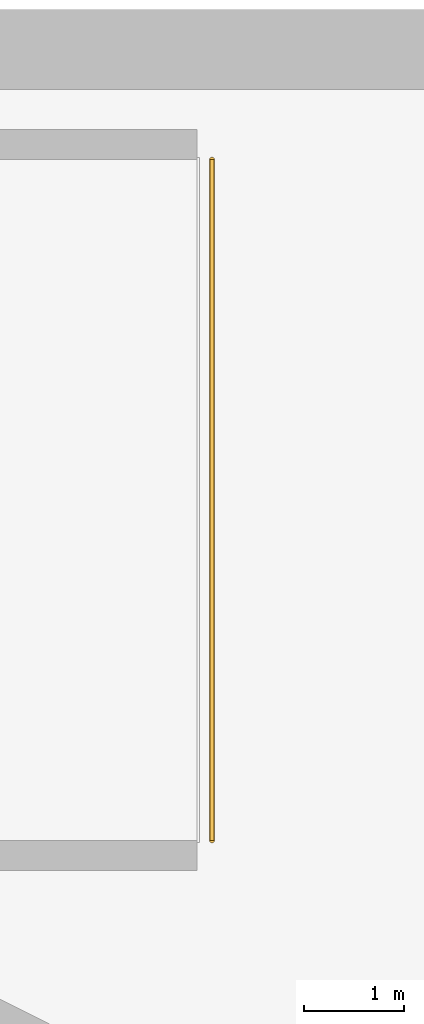
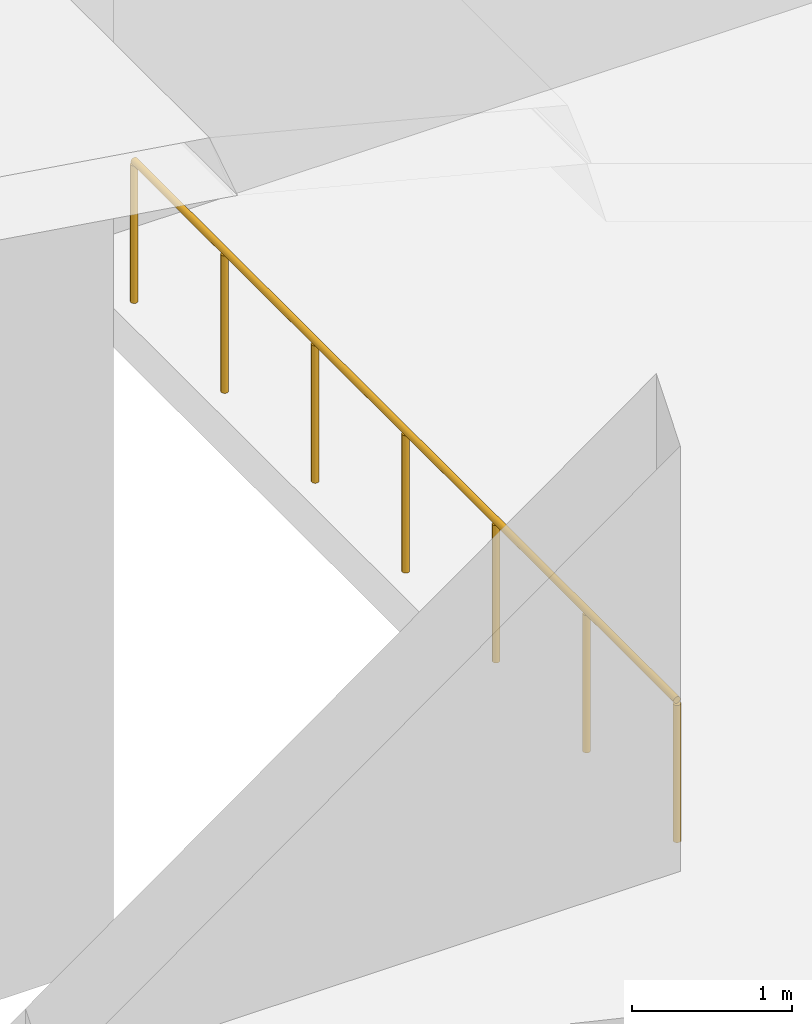
# One storey, part 10 of 10: 1 railing.
"""IFC4 building model written with IfcOpenShell, lengths in metres."""

from ifc_helpers import new_model, si_unit, direction, frame, origin, origin_2d, place, context, subcontext, project, spatial, circle, extrude, source, transform, mapped, material, type_object, element, save


model = new_model("IFC4")

# Units and contexts
model_context = context("Model", 3, precision=1e-05, world=origin(), true_north=direction((0.0, 1.0)))
body_context = subcontext(model_context, "Body", "Model", "MODEL_VIEW")
ifc_project = project(units=[si_unit("LENGTHUNIT", "METRE"), si_unit("AREAUNIT", "SQUARE_METRE"), si_unit("VOLUMEUNIT", "CUBIC_METRE"), si_unit("PLANEANGLEUNIT", "RADIAN"), si_unit("MASSUNIT", "GRAM", prefix="KILO")], contexts=[model_context])

# Site, building, storey
site_placement = place(None, origin())
site = spatial("IfcSite", under=ifc_project, at=site_placement, CompositionType="ELEMENT")
building_placement = place(site_placement, origin())
building = spatial("IfcBuilding", under=site, at=building_placement, Name="Embergate Tower", CompositionType="ELEMENT")
storey_placement = place(building_placement, frame((0.0, 0.0, -5.0)))
storey = spatial("IfcBuildingStorey", under=building, at=storey_placement, Name="B1", CompositionType="ELEMENT", Elevation=-5.0)

# Railing
ifc_material = material(Name="Stainless steel", Category="steel")
railing_type = type_object("IfcRailingType", Name="Ramp slot guard 1100", PredefinedType="GUARDRAIL", material=ifc_material)
shared_shape = source(origin(), body_context, "Body", "SweptSolid", [
    extrude(circle(Radius=0.02490234375, at=origin_2d()), frame((0.0, 0.0, 1.0751953125), z_axis=(0.0, 1.0, 0.0), x_axis=(-1.0, 0.0, 0.0)), (0.0, 0.0, 1.0), 6.800048828125),
    extrude(circle(Radius=0.02490234375, at=origin_2d()), origin(), (0.0, 0.0, 1.0), 1.050048828125),
    extrude(circle(Radius=0.02490234375, at=origin_2d()), frame((0.0, 1.13330078125, 0.0)), (0.0, 0.0, 1.0), 1.050048828125),
    extrude(circle(Radius=0.02490234375, at=origin_2d()), frame((0.0, 2.2666015625, 0.0)), (0.0, 0.0, 1.0), 1.050048828125),
    extrude(circle(Radius=0.02490234375, at=origin_2d()), frame((0.0, 3.39990234375, 0.0)), (0.0, 0.0, 1.0), 1.050048828125),
    extrude(circle(Radius=0.02490234375, at=origin_2d()), frame((0.0, 4.533447265625, 0.0)), (0.0, 0.0, 1.0), 1.050048828125),
    extrude(circle(Radius=0.02490234375, at=origin_2d()), frame((0.0, 5.666748046875, 0.0)), (0.0, 0.0, 1.0), 1.050048828125),
    extrude(circle(Radius=0.02490234375, at=origin_2d()), frame((0.0, 6.800048828125, 0.0)), (0.0, 0.0, 1.0), 1.050048828125),
])
railing_placement = place(storey_placement, frame((28.14990234375, 31.699951171875, 0.0)))
element("IfcRailing", 1, at=railing_placement, inside=storey, type_object=railing_type, Name="Ramp slot end guard", PredefinedType="GUARDRAIL", context=body_context, shape_type="MappedRepresentation", body=[
    mapped(shared_shape, transform((0.0, 0.0, 0.0))),
])

save(model, "model.ifc")
